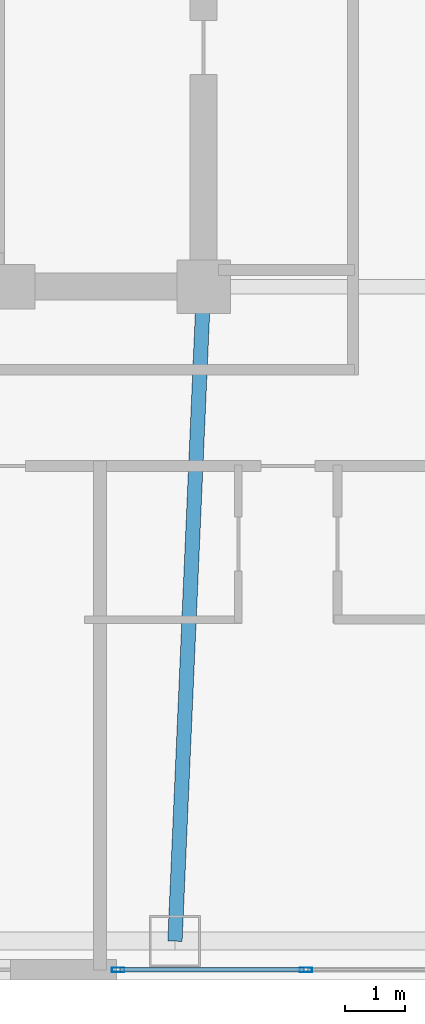
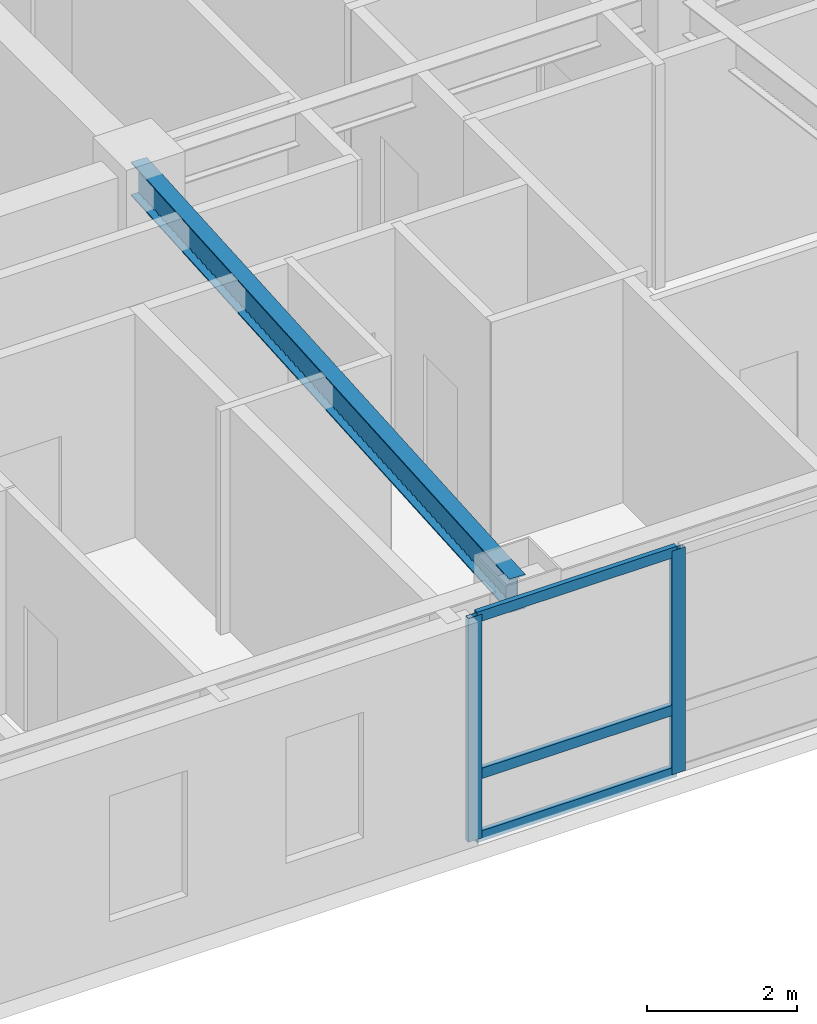
# One storey, part 2 of 16: 5 members, 1 beam, 1 element without a shape of its own.
"""IFC4 building model written with IfcOpenShell, lengths in metres."""

from ifc_helpers import new_model, si_unit, direction, frame, origin, origin_2d, place, context, subcontext, project, spatial, hollow_rectangle, i_section, extrude, material, layer, layer_set, material_profile, profile_set, type_object, element, aggregate, save


model = new_model("IFC4")

# Units and contexts
model_context = context("Model", 3, precision=1e-05, world=origin(), true_north=direction((0.0, 1.0)))
body_context = subcontext(model_context, "Body", "Model", "MODEL_VIEW")
ifc_project = project(units=[si_unit("LENGTHUNIT", "METRE"), si_unit("AREAUNIT", "SQUARE_METRE"), si_unit("VOLUMEUNIT", "CUBIC_METRE"), si_unit("PLANEANGLEUNIT", "RADIAN"), si_unit("MASSUNIT", "GRAM", prefix="KILO")], contexts=[model_context])

# Site, building, storey
site_placement = place(None, origin())
site = spatial("IfcSite", under=ifc_project, at=site_placement, CompositionType="ELEMENT")
building_placement = place(site_placement, origin())
building = spatial("IfcBuilding", under=site, at=building_placement, Name="Voryun Gate Residences", CompositionType="ELEMENT")
storey_placement = place(building_placement, frame((0.0, 0.0, 208.0)))
storey = spatial("IfcBuildingStorey", under=building, at=storey_placement, Name="L51", CompositionType="ELEMENT", Elevation=208.0)

# Beam
ifc_material_1 = material(Name="Steel SM355", Category="steel")
ifc_material_profile_1 = material_profile(ifc_material_1, i_section(OverallWidth=0.239990234375, OverallDepth=0.550048828125, WebThickness=0.011962890625, FlangeThickness=0.02001953125, FilletRadius=0.01806640625, at=origin_2d()), Name="H-550x240x12x20")
ifc_profile_set_1 = profile_set([ifc_material_profile_1], Name="Steel SM355")
beam_type = type_object("IfcBeamType", Name="BM_GIRD_550", PredefinedType="USERDEFINED", material=ifc_profile_set_1)
beam_placement = place(storey_placement, frame((-12.39990234375, -7.39990234375, 3.375), z_axis=(-0.043791002488, -0.999040713936, 0.0), x_axis=(0.999040713936, -0.043791002488, 0.0)))
element("IfcBeam", 1, at=beam_placement, inside=storey, type_object=beam_type, Name="BM-L51-RAD-S2", ObjectType="GIRDER", PredefinedType="USERDEFINED", context=body_context, shape_type="SweptSolid", body=[
    extrude(i_section(OverallWidth=0.239990234375, OverallDepth=0.550048828125, WebThickness=0.011962890625, FlangeThickness=0.02001953125, FilletRadius=0.01806640625, at=origin_2d()), origin(), (0.0, 0.0, 1.0), 10.960693359375),
])

# Curtain wall, members
ifc_material_2 = material(Name="Anodised aluminium", Category="aluminium")
ifc_layer = layer(ifc_material_2, 0.2099609375, Name="CW_SYS_SKYGARDEN_DARK_GLASS")
ifc_layer_set = layer_set([ifc_layer], Name="Anodised aluminium")
curtain_wall_type = type_object("IfcCurtainWallType", Name="CW_SYS_SKYGARDEN_DARK_GLASS", PredefinedType="NOTDEFINED", material=ifc_layer_set)
curtain_wall_placement = place(storey_placement, origin())
curtain_wall = element("IfcCurtainWall", 2, at=curtain_wall_placement, inside=storey, type_object=curtain_wall_type, Name="Curtain wall CW5-L51-SG-01", PredefinedType="NOTDEFINED")
ifc_material_3 = material(Name="Anodised aluminium", Category="aluminium")
ifc_material_profile_2 = material_profile(ifc_material_3, hollow_rectangle(XDim=0.074951171875, YDim=0.2099609375, WallThickness=0.0048828125, at=origin_2d()), Name="ALU-MULL-210x75x5")
ifc_profile_set_2 = profile_set([ifc_material_profile_2], Name="Anodised aluminium")
member_type_1 = type_object("IfcMemberType", Name="CW_MULL_SKY", PredefinedType="MULLION", material=ifc_profile_set_2)
member_1_placement = place(storey_placement, frame((-10.68896484375, -18.830078125, 0.0), z_axis=(0.0, 0.0, 1.0), x_axis=(0.0, -1.0, 0.0)))
member_1 = element("IfcMember", 3, at=member_1_placement, type_object=member_type_1, Name="CW5 mullion 10", PredefinedType="MULLION", context=body_context, shape_type="SweptSolid", body=[
    extrude(hollow_rectangle(XDim=0.074951171875, YDim=0.2099609375, WallThickness=0.0048828125, at=origin_2d()), origin(), (0.0, 0.0, 1.0), 3.64990234375),
])
member_2_placement = place(storey_placement, frame((-13.831298828125, -18.830078125, 0.0), z_axis=(0.0, 0.0, 1.0), x_axis=(0.0, -1.0, 0.0)))
member_2 = element("IfcMember", 4, at=member_2_placement, type_object=member_type_1, Name="CW5 mullion 11", PredefinedType="MULLION", context=body_context, shape_type="SweptSolid", body=[
    extrude(hollow_rectangle(XDim=0.074951171875, YDim=0.2099609375, WallThickness=0.0048828125, at=origin_2d()), origin(), (0.0, 0.0, 1.0), 3.64990234375),
])
ifc_material_4 = material(Name="Anodised aluminium", Category="aluminium")
ifc_material_profile_3 = material_profile(ifc_material_4, hollow_rectangle(XDim=0.074951171875, YDim=0.169921875, WallThickness=0.0048828125, at=origin_2d()), Name="ALU-TRAN-170x75x5")
ifc_profile_set_3 = profile_set([ifc_material_profile_3], Name="Anodised aluminium")
member_type_2 = type_object("IfcMemberType", Name="CW_TRAN_SKY", PredefinedType="USERDEFINED", material=ifc_profile_set_3)
member_3_placement = place(storey_placement, frame((-10.718994140625, -18.830078125, 0.030029296875), z_axis=(-1.0, 0.0, 0.0), x_axis=(0.0, -1.0, 0.0)))
member_3 = element("IfcMember", 5, at=member_3_placement, type_object=member_type_2, Name="CW5 transom 10.1", ObjectType="TRANSOM", PredefinedType="USERDEFINED", context=body_context, shape_type="SweptSolid", body=[
    extrude(hollow_rectangle(XDim=0.074951171875, YDim=0.169921875, WallThickness=0.0048828125, at=origin_2d()), origin(), (0.0, 0.0, 1.0), 3.082275390625),
])
member_4_placement = place(storey_placement, frame((-10.718994140625, -18.830078125, 1.050048828125), z_axis=(-1.0, 0.0, 0.0), x_axis=(0.0, -1.0, 0.0)))
member_4 = element("IfcMember", 6, at=member_4_placement, type_object=member_type_2, Name="CW5 transom 10.2", ObjectType="TRANSOM", PredefinedType="USERDEFINED", context=body_context, shape_type="SweptSolid", body=[
    extrude(hollow_rectangle(XDim=0.074951171875, YDim=0.169921875, WallThickness=0.0048828125, at=origin_2d()), origin(), (0.0, 0.0, 1.0), 3.082275390625),
])
member_5_placement = place(storey_placement, frame((-10.718994140625, -18.830078125, 3.6201171875), z_axis=(-1.0, 0.0, 0.0), x_axis=(0.0, -1.0, 0.0)))
member_5 = element("IfcMember", 7, at=member_5_placement, type_object=member_type_2, Name="CW5 transom 10.3", ObjectType="TRANSOM", PredefinedType="USERDEFINED", context=body_context, shape_type="SweptSolid", body=[
    extrude(hollow_rectangle(XDim=0.074951171875, YDim=0.169921875, WallThickness=0.0048828125, at=origin_2d()), origin(), (0.0, 0.0, 1.0), 3.082275390625),
])
aggregate(curtain_wall, [member_1, member_2, member_3, member_4, member_5])

save(model, "model.ifc")
